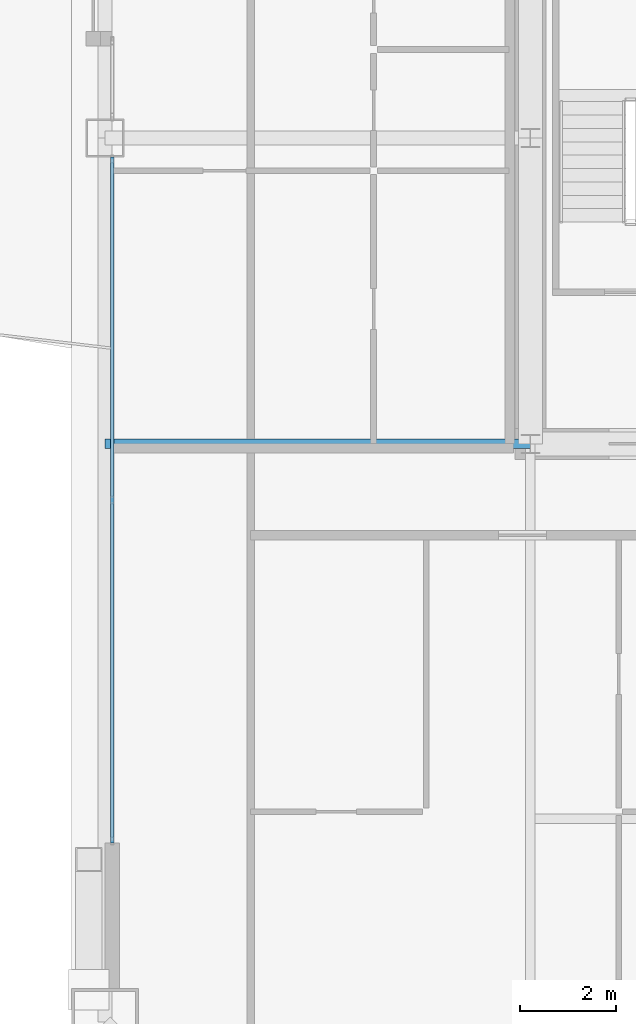
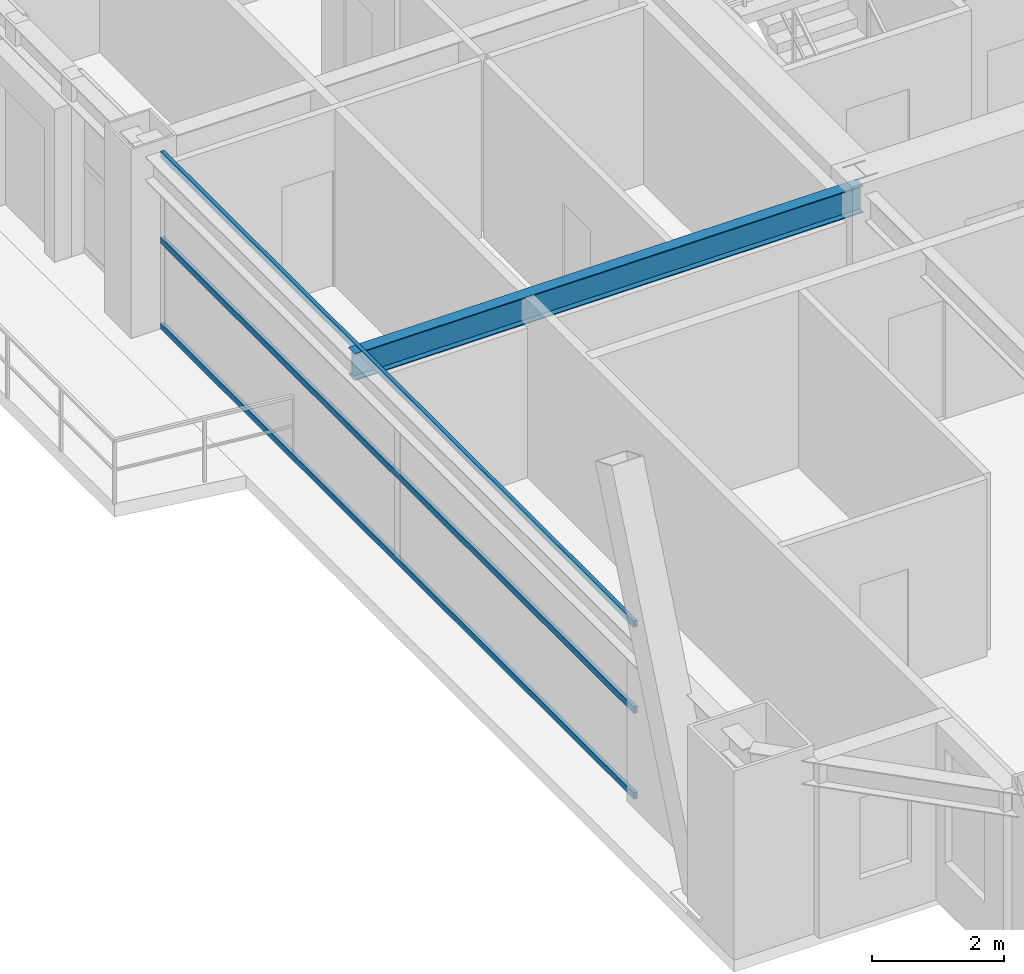
# One storey, part 12 of 42: 3 members, 1 beam, 1 element without a shape of its own.
"""IFC4 building model written with IfcOpenShell, lengths in metres."""

from ifc_helpers import new_model, si_unit, direction, frame, origin, origin_2d, place, context, subcontext, project, spatial, hollow_rectangle, i_section, extrude, source, transform, mapped, material, layer, layer_set, material_profile, profile_set, type_object, element, aggregate, save


model = new_model("IFC4")

# Units and contexts
model_context = context("Model", 3, precision=1e-05, world=origin(), true_north=direction((0.0, 1.0)))
body_context = subcontext(model_context, "Body", "Model", "MODEL_VIEW")
ifc_project = project(units=[si_unit("LENGTHUNIT", "METRE"), si_unit("AREAUNIT", "SQUARE_METRE"), si_unit("VOLUMEUNIT", "CUBIC_METRE"), si_unit("PLANEANGLEUNIT", "RADIAN"), si_unit("MASSUNIT", "GRAM", prefix="KILO"), si_unit("THERMODYNAMICTEMPERATUREUNIT", "KELVIN"), si_unit("POWERUNIT", "WATT")], contexts=[model_context])

# Site, building, storey
site_placement = place(None, origin())
site = spatial("IfcSite", under=ifc_project, at=site_placement, CompositionType="ELEMENT")
building_placement = place(site_placement, origin())
building = spatial("IfcBuilding", under=site, at=building_placement, Name="Yuzanri Waterfront Tower", CompositionType="ELEMENT")
storey_placement = place(building_placement, frame((0.0, 0.0, 205.5)))
storey = spatial("IfcBuildingStorey", under=building, at=storey_placement, Name="L54", CompositionType="ELEMENT", Elevation=205.5)

# Beam
ifc_material_1 = material(Name="Steel Q355B", Category="steel")
ifc_material_profile_1 = material_profile(ifc_material_1, i_section(OverallWidth=0.199951171875, OverallDepth=0.5, WebThickness=0.010009765625, FlangeThickness=0.01611328125, at=origin_2d()), Name="HN 500x200x10x16")
ifc_profile_set_1 = profile_set([ifc_material_profile_1], Name="Steel Q355B")
beam_type = type_object("IfcBeamType", Name="Secondary Floor Beam Q355B HN 500x200", PredefinedType="BEAM", material=ifc_profile_set_1)
shared_shape_1 = source(origin(), body_context, "Body", "SweptSolid", [
    extrude(i_section(OverallWidth=0.199951171875, OverallDepth=0.5, WebThickness=0.010009765625, FlangeThickness=0.01611328125, at=origin_2d()), origin(), (0.0, 0.0, 1.0), 8.900146484375),
])
beam_placement = place(storey_placement, frame((23.800048828125, 19.39990234375, 3.030029296875), z_axis=(-1.0, 0.0, 0.0), x_axis=(0.0, -1.0, 0.0)))
element("IfcBeam", 1, at=beam_placement, inside=storey, type_object=beam_type, Name="L54 West-South Core Line Beam", PredefinedType="BEAM", context=body_context, shape_type="MappedRepresentation", body=[
    mapped(shared_shape_1, transform((0.0, 0.0, 0.0), scale=1.0)),
])

# Curtain wall, members
ifc_material_2 = material(Name="Anodized Architectural Bronze", Category="metal")
ifc_layer = layer(ifc_material_2, 0.159912109375)
ifc_layer_set = layer_set([ifc_layer], Name="Anodized Architectural Bronze")
curtain_wall_type = type_object("IfcCurtainWallType", Name="Anodized Bronze Mid-Rise Residential Acoustic Unitized Curtain Wall 7200", PredefinedType="NOTDEFINED", material=ifc_layer_set)
curtain_wall_placement = place(storey_placement, origin())
curtain_wall = element("IfcCurtainWall", 2, at=curtain_wall_placement, inside=storey, type_object=curtain_wall_type, Name="L54 Curtain Wall CW-L54-WL", PredefinedType="NOTDEFINED")
ifc_material_3 = material(Name="Anodized Architectural Bronze", Category="metal")
ifc_material_profile_2 = material_profile(ifc_material_3, hollow_rectangle(XDim=0.06494140625, YDim=0.1201171875, WallThickness=0.00341796875, at=origin_2d()), Name="CWT 65x120")
ifc_profile_set_2 = profile_set([ifc_material_profile_2], Name="Anodized Architectural Bronze")
member_type = type_object("IfcMemberType", Name="Anodized Bronze Secondary Curtain-Wall Transom 65x120", PredefinedType="USERDEFINED", material=ifc_profile_set_2)
shared_shape_2 = source(origin(), body_context, "Body", "SweptSolid", [
    extrude(hollow_rectangle(XDim=0.06494140625, YDim=0.1201171875, WallThickness=0.00341796875, at=origin_2d()), origin(), (0.0, 0.0, 1.0), 14.349853515625),
])
member_1_placement = place(storey_placement, frame((15.050048828125, 11.050048828125, 0.050048828125), z_axis=(0.0, 1.0, 0.0), x_axis=(-1.0, 0.0, 0.0)))
member_1 = element("IfcMember", 3, at=member_1_placement, type_object=member_type, Name="CW-L54-WL Transom 1", ObjectType="TRANSOM", PredefinedType="USERDEFINED", context=body_context, shape_type="MappedRepresentation", body=[
    mapped(shared_shape_2, transform((0.0, 0.0, 0.0), scale=1.0)),
])
member_2_placement = place(storey_placement, frame((15.050048828125, 11.050048828125, 1.639892578125), z_axis=(0.0, 1.0, 0.0), x_axis=(-1.0, 0.0, 0.0)))
member_2 = element("IfcMember", 4, at=member_2_placement, type_object=member_type, Name="CW-L54-WL Transom 2", ObjectType="TRANSOM", PredefinedType="USERDEFINED", context=body_context, shape_type="MappedRepresentation", body=[
    mapped(shared_shape_2, transform((0.0, 0.0, 0.0), scale=1.0)),
])
member_3_placement = place(storey_placement, frame((15.050048828125, 11.050048828125, 3.22998046875), z_axis=(0.0, 1.0, 0.0), x_axis=(-1.0, 0.0, 0.0)))
member_3 = element("IfcMember", 5, at=member_3_placement, type_object=member_type, Name="CW-L54-WL Transom 3", ObjectType="TRANSOM", PredefinedType="USERDEFINED", context=body_context, shape_type="MappedRepresentation", body=[
    mapped(shared_shape_2, transform((0.0, 0.0, 0.0), scale=1.0)),
])
aggregate(curtain_wall, [member_1, member_2, member_3])

save(model, "model.ifc")
